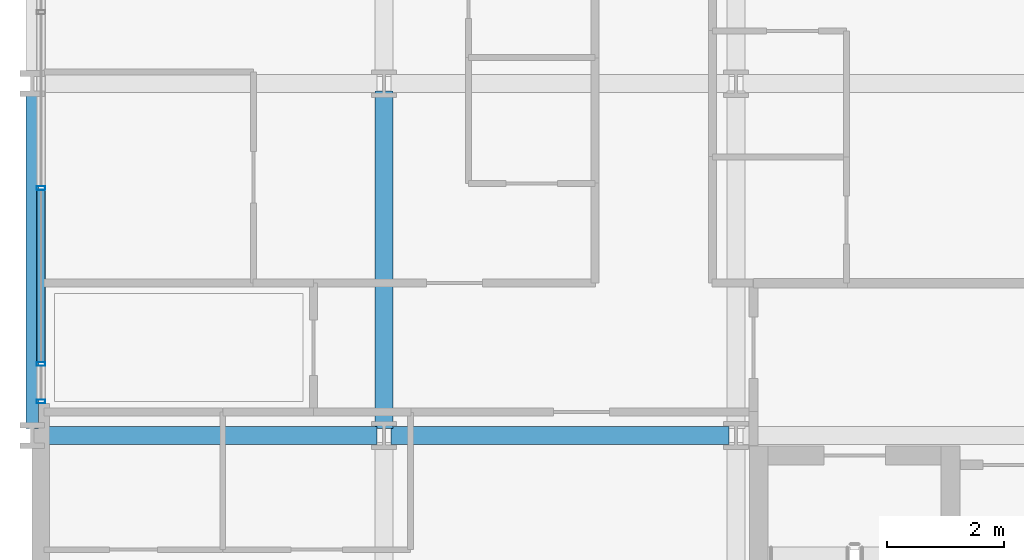
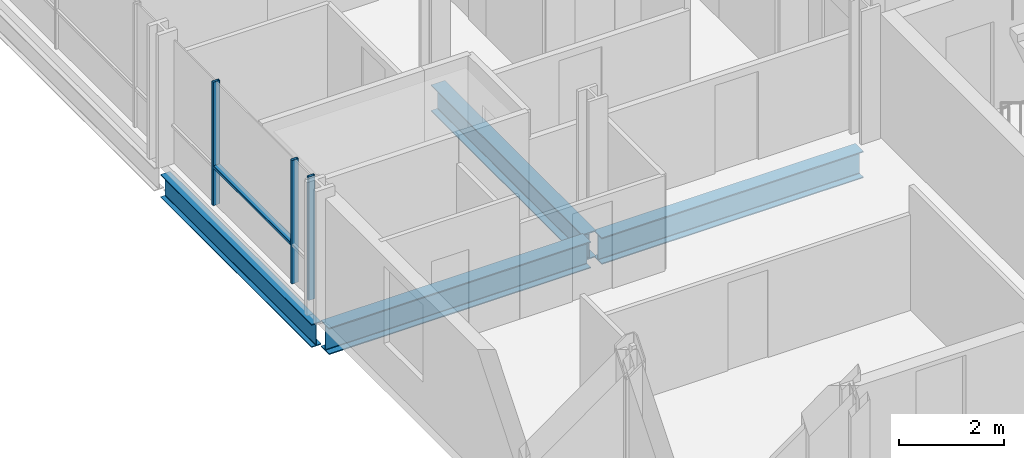
# One storey, part 2 of 40: 4 beams, 4 members, 1 element without a shape of its own.
"""IFC4 building model written with IfcOpenShell, lengths in metres."""

from ifc_helpers import new_model, si_unit, direction, frame, origin, origin_2d, place, context, subcontext, project, spatial, hollow_rectangle, i_section, extrude, material, layer, layer_set, material_profile, profile_set, type_object, element, aggregate, save


model = new_model("IFC4")

# Units and contexts
model_context = context("Model", 3, precision=1e-05, world=origin(), true_north=direction((0.0, 1.0)))
body_context = subcontext(model_context, "Body", "Model", "MODEL_VIEW")
ifc_project = project(units=[si_unit("LENGTHUNIT", "METRE"), si_unit("AREAUNIT", "SQUARE_METRE"), si_unit("VOLUMEUNIT", "CUBIC_METRE"), si_unit("PLANEANGLEUNIT", "RADIAN"), si_unit("MASSUNIT", "GRAM", prefix="KILO")], contexts=[model_context])

# Site, building, storey
site_placement = place(None, origin())
site = spatial("IfcSite", under=ifc_project, at=site_placement, CompositionType="ELEMENT")
building_placement = place(site_placement, origin())
building = spatial("IfcBuilding", under=site, at=building_placement, Name="Brevholm Reach", CompositionType="ELEMENT")
storey_placement = place(building_placement, frame((0.0, 0.0, 37.300048828125)))
storey = spatial("IfcBuildingStorey", under=building, at=storey_placement, Name="L09", CompositionType="ELEMENT", Elevation=37.300048828125)

# Beams
ifc_material_1 = material(Name="Structural Steel S355J2", Category="steel")
ifc_material_profile_1 = material_profile(ifc_material_1, i_section(OverallWidth=0.210693359375, OverallDepth=0.53955078125, WebThickness=0.01171875, FlangeThickness=0.018798828125, FilletRadius=0.0126953125, at=origin_2d()), Name="UKB 533x210x109")
ifc_profile_set_1 = profile_set([ifc_material_profile_1], Name="Structural Steel S355J2")
beam_type_1 = type_object("IfcBeamType", Name="BM-SP539", PredefinedType="SPANDREL", material=ifc_profile_set_1)
beam_placement = place(storey_placement, frame((0.0, 10.1201171875, -0.499755859375), z_axis=(0.0, 1.0, 0.0), x_axis=(-1.0, 0.0, 0.0)))
element("IfcBeam", 1, at=beam_placement, inside=storey, type_object=beam_type_1, Name="L09 SP-01B Framing Beam", PredefinedType="SPANDREL", context=body_context, shape_type="SweptSolid", body=[
    extrude(i_section(OverallWidth=0.210693359375, OverallDepth=0.53955078125, WebThickness=0.01171875, FlangeThickness=0.018798828125, FilletRadius=0.0126953125, at=origin_2d()), origin(), (0.0, 0.0, 1.0), 5.759765625),
])
ifc_material_2 = material(Name="Structural Steel S355J2", Category="steel")
ifc_material_profile_2 = material_profile(ifc_material_2, i_section(OverallWidth=0.30712890625, OverallDepth=0.6201171875, WebThickness=0.01416015625, FlangeThickness=0.023681640625, FilletRadius=0.0166015625, at=origin_2d()), Name="UKB 610x305x179")
ifc_profile_set_2 = profile_set([ifc_material_profile_2], Name="Structural Steel S355J2")
beam_type_2 = type_object("IfcBeamType", Name="BM-UKB610H", PredefinedType="USERDEFINED", material=ifc_profile_set_2)
for number, where, z_axis, x_axis, name in (
    (2, (0.1201171875, 10.0, -0.5400390625), (1.0, 0.0, 0.0), (0.0, 1.0, 0.0), "L09 G-06 Framing Beam"),
    (3, (6.1201171875, 10.0, -0.5400390625), (1.0, 0.0, 0.0), (0.0, 1.0, 0.0), "L09 G-06 Framing Beam"),
    (4, (6.0, 10.1201171875, -0.5400390625), (0.0, 1.0, 0.0), (-1.0, 0.0, 0.0), "L09 G-06 Framing Beam"),
):
    element("IfcBeam", number, at=place(storey_placement, frame(where, z_axis=z_axis, x_axis=x_axis)), inside=storey, type_object=beam_type_2, Name=name, ObjectType="GIRDER", PredefinedType="USERDEFINED", context=body_context, shape_type="SweptSolid", body=[
        extrude(i_section(OverallWidth=0.30712890625, OverallDepth=0.6201171875, WebThickness=0.01416015625, FlangeThickness=0.023681640625, FilletRadius=0.0166015625, at=origin_2d()), origin(), (0.0, 0.0, 1.0), 5.759765625),
    ])

# Curtain wall, members
ifc_material_3 = material(Name="Dark Anodised Aluminium 6063-T6 and Solar-Control Glass", Category="aluminium")
ifc_layer = layer(ifc_material_3, 0.14990234375)
ifc_layer_set = layer_set([ifc_layer], Name="Dark Anodised Aluminium 6063-T6 and Solar-Control Glass")
curtain_wall_type = type_object("IfcCurtainWallType", Name="CW-01", PredefinedType="NOTDEFINED", material=ifc_layer_set)
curtain_wall_placement = place(storey_placement, origin())
curtain_wall = element("IfcCurtainWall", 5, at=curtain_wall_placement, inside=storey, type_object=curtain_wall_type, Name="L09 Curtain Wall CW-01", PredefinedType="NOTDEFINED")
ifc_material_4 = material(Name="Dark Anodised Aluminium 6063-T6", Category="aluminium")
ifc_material_profile_3 = material_profile(ifc_material_4, hollow_rectangle(XDim=0.06494140625, YDim=0.14990234375, WallThickness=0.0048828125, InnerFilletRadius=0.0048828125, OuterFilletRadius=0.010009765625, at=origin_2d()), Name="RHS 150x65x5")
ifc_profile_set_3 = profile_set([ifc_material_profile_3], Name="Dark Anodised Aluminium 6063-T6")
member_type_1 = type_object("IfcMemberType", Name="CWM-150", PredefinedType="MULLION", material=ifc_profile_set_3)
member_1_placement = place(storey_placement, frame((0.14990234375, 14.219970703125, 0.0), z_axis=(0.0, 0.0, 1.0), x_axis=(0.0, -1.0, 0.0)))
member_1 = element("IfcMember", 6, at=member_1_placement, type_object=member_type_1, Name="CM-150 Mullion 4", PredefinedType="MULLION", context=body_context, shape_type="SweptSolid", body=[
    extrude(hollow_rectangle(XDim=0.06494140625, YDim=0.14990234375, WallThickness=0.0048828125, InnerFilletRadius=0.0048828125, OuterFilletRadius=0.010009765625, at=origin_2d()), origin(), (0.0, 0.0, 1.0), 2.869873046875),
])
member_2_placement = place(storey_placement, frame((0.14990234375, 11.219970703125, 0.0), z_axis=(0.0, 0.0, 1.0), x_axis=(0.0, -1.0, 0.0)))
member_2 = element("IfcMember", 7, at=member_2_placement, type_object=member_type_1, Name="CM-150 Mullion 5", PredefinedType="MULLION", context=body_context, shape_type="SweptSolid", body=[
    extrude(hollow_rectangle(XDim=0.06494140625, YDim=0.14990234375, WallThickness=0.0048828125, InnerFilletRadius=0.0048828125, OuterFilletRadius=0.010009765625, at=origin_2d()), origin(), (0.0, 0.0, 1.0), 2.869873046875),
])
member_3_placement = place(storey_placement, frame((0.14990234375, 10.58251953125, 0.0), z_axis=(0.0, 0.0, 1.0), x_axis=(0.0, -1.0, 0.0)))
member_3 = element("IfcMember", 8, at=member_3_placement, type_object=member_type_1, Name="CM-150 Mullion 6", PredefinedType="MULLION", context=body_context, shape_type="SweptSolid", body=[
    extrude(hollow_rectangle(XDim=0.06494140625, YDim=0.14990234375, WallThickness=0.0048828125, InnerFilletRadius=0.0048828125, OuterFilletRadius=0.010009765625, at=origin_2d()), origin(), (0.0, 0.0, 1.0), 2.869873046875),
])
ifc_material_5 = material(Name="Dark Anodised Aluminium 6063-T6", Category="aluminium")
ifc_material_profile_4 = material_profile(ifc_material_5, hollow_rectangle(XDim=0.06494140625, YDim=0.14990234375, WallThickness=0.0048828125, InnerFilletRadius=0.0048828125, OuterFilletRadius=0.010009765625, at=origin_2d()), Name="RHS 150x65x5")
ifc_profile_set_4 = profile_set([ifc_material_profile_4], Name="Dark Anodised Aluminium 6063-T6")
member_type_2 = type_object("IfcMemberType", Name="CWT-150", PredefinedType="NOTDEFINED", material=ifc_profile_set_4)
member_4_placement = place(storey_placement, frame((0.14990234375, 14.1875, 0.89990234375), z_axis=(0.0, -1.0, 0.0), x_axis=(0.0, 0.0, 1.0)))
member_4 = element("IfcMember", 9, at=member_4_placement, type_object=member_type_2, Name="CT-150 Transom 4.1", ObjectType="TRANSOM", PredefinedType="USERDEFINED", context=body_context, shape_type="SweptSolid", body=[
    extrude(hollow_rectangle(XDim=0.06494140625, YDim=0.14990234375, WallThickness=0.0048828125, InnerFilletRadius=0.0048828125, OuterFilletRadius=0.010009765625, at=origin_2d()), origin(), (0.0, 0.0, 1.0), 2.93505859375),
])
aggregate(curtain_wall, [member_1, member_2, member_3, member_4])

save(model, "model.ifc")
